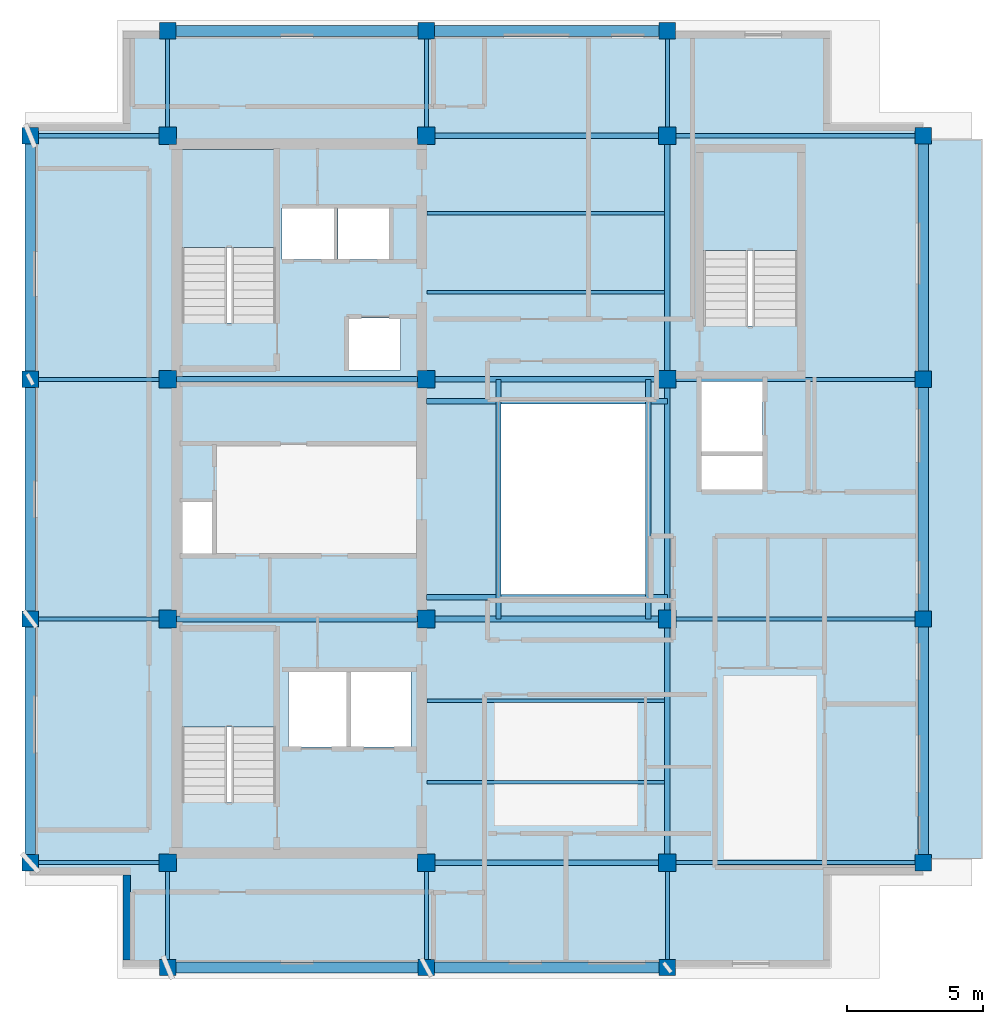
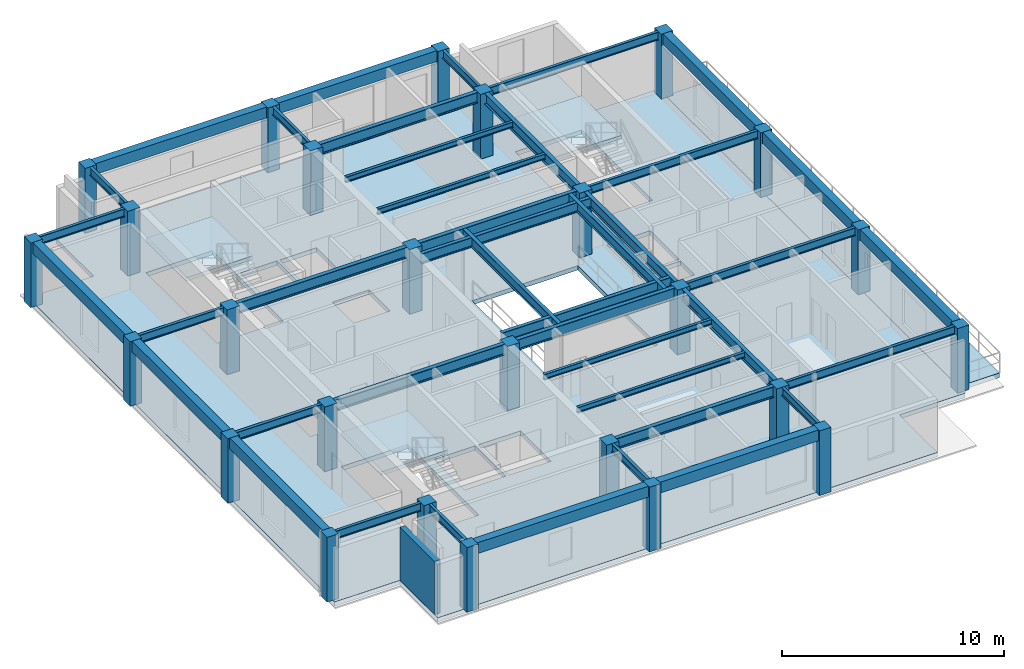
# One storey, part 1 of 9: 41 beams, 26 columns, 5 slabs, 1 wall, 3 elements without a shape of their own.
"""IFC4 building model written with IfcOpenShell, lengths in metres."""

from ifc_helpers import new_model, si_unit, direction, frame, frame_2d, origin, origin_2d, place, context, subcontext, project, spatial, polyline, rectangle, i_section, outline, extrude, material, layer, layer_set, material_profile, profile_set, type_object, element, aggregate, save


model = new_model("IFC4")

# Units and contexts
model_context = context("Model", 3, precision=1e-05, world=origin(), true_north=direction((0.0, 1.0)))
body_context = subcontext(model_context, "Body", "Model", "MODEL_VIEW")
ifc_project = project(units=[si_unit("LENGTHUNIT", "METRE"), si_unit("AREAUNIT", "SQUARE_METRE"), si_unit("VOLUMEUNIT", "CUBIC_METRE"), si_unit("PLANEANGLEUNIT", "RADIAN"), si_unit("MASSUNIT", "GRAM", prefix="KILO")], contexts=[model_context])

# Site, building, storey
site_placement = place(None, origin())
site = spatial("IfcSite", under=ifc_project, at=site_placement, CompositionType="ELEMENT")
building_placement = place(site_placement, origin())
building = spatial("IfcBuilding", under=site, at=building_placement, Name="Kundavana Baori Tower", CompositionType="ELEMENT")
storey_placement = place(building_placement, frame((0.0, 0.0, 335.300048828125)))
storey = spatial("IfcBuildingStorey", under=building, at=storey_placement, Name="L83", CompositionType="ELEMENT", Elevation=335.300048828125)

# Columns
ifc_material_1 = material(Name="Concrete C50/60", Category="concrete")
ifc_material_profile_1 = material_profile(ifc_material_1, rectangle(XDim=0.60009765625, YDim=0.60009765625, at=origin_2d()), Name="RC PF 600x600")
ifc_profile_set_1 = profile_set([ifc_material_profile_1], Name="Concrete C50/60")
column_type_1 = type_object("IfcColumnType", Name="COL-PF-600", PredefinedType="COLUMN", material=ifc_profile_set_1)
for number, where, z_axis, x_axis, name in (
    (1, (15.449951171875, 11.39990234375, 0.0), (0.0, 0.0, 1.0), (1.0, 0.0, 0.0), "L83 Stone-Clad Perimeter Frame Column PF-S1"),
    (2, (15.449951171875, 45.800048828125, 0.0), (0.0, 0.0, 1.0), (1.0, 0.0, 0.0), "L83 Stone-Clad Perimeter Frame Column PF-N1"),
    (3, (24.949951171875, 11.39990234375, 0.0), (0.0, 0.0, 1.0), (1.0, 0.0, 0.0), "L83 Stone-Clad Perimeter Frame Column PF-S2"),
    (4, (24.949951171875, 45.800048828125, 0.0), (0.0, 0.0, 1.0), (1.0, 0.0, 0.0), "L83 Stone-Clad Perimeter Frame Column PF-N2"),
    (5, (33.800048828125, 11.39990234375, 0.0), (0.0, 0.0, 1.0), (1.0, 0.0, 0.0), "L83 Stone-Clad Perimeter Frame Column PF-S3"),
    (6, (33.800048828125, 45.800048828125, 0.0), (0.0, 0.0, 1.0), (1.0, 0.0, 0.0), "L83 Stone-Clad Perimeter Frame Column PF-N3"),
    (7, (10.39990234375, 15.25, 0.0), (0.0, 0.0, 1.0), (1.0, 0.0, 0.0), "L83 Stone-Clad Perimeter Frame Column PF-W1"),
    (8, (43.199951171875, 15.25, 0.0), (0.0, 0.0, 1.0), (1.0, 0.0, 0.0), "L83 Stone-Clad Perimeter Frame Column PF-E1"),
    (9, (10.39990234375, 24.199951171875, 0.0), (0.0, 0.0, 1.0), (1.0, 0.0, 0.0), "L83 Stone-Clad Perimeter Frame Column PF-W2"),
    (10, (43.199951171875, 24.199951171875, 0.0), (0.0, 0.0, 1.0), (1.0, 0.0, 0.0), "L83 Stone-Clad Perimeter Frame Column PF-E2"),
    (11, (10.39990234375, 33.0, 0.0), (0.0, 0.0, 1.0), (1.0, 0.0, 0.0), "L83 Stone-Clad Perimeter Frame Column PF-W3"),
    (12, (43.199951171875, 33.0, 0.0), (0.0, 0.0, 1.0), (1.0, 0.0, 0.0), "L83 Stone-Clad Perimeter Frame Column PF-E3"),
    (13, (10.39990234375, 41.949951171875, 0.0), (0.0, 0.0, 1.0), (1.0, 0.0, 0.0), "L83 Stone-Clad Perimeter Frame Column PF-W4"),
    (14, (43.199951171875, 41.949951171875, 0.0), (0.0, 0.0, 1.0), (1.0, 0.0, 0.0), "L83 Stone-Clad Perimeter Frame Column PF-E4"),
):
    element("IfcColumn", number, at=place(storey_placement, frame(where, z_axis=z_axis, x_axis=x_axis)), inside=storey, type_object=column_type_1, Name=name, PredefinedType="COLUMN", context=body_context, shape_type="SweptSolid", body=[
        extrude(rectangle(XDim=0.60009765625, YDim=0.60009765625, at=origin_2d()), origin(), (0.0, 0.0, 1.0), 3.56005859375),
    ])
ifc_material_2 = material(Name="Concrete C50/60", Category="concrete")
ifc_material_profile_2 = material_profile(ifc_material_2, rectangle(XDim=0.64990234375, YDim=0.64990234375, at=origin_2d()), Name="RC 650x650")
ifc_profile_set_2 = profile_set([ifc_material_profile_2], Name="Concrete C50/60")
column_type_2 = type_object("IfcColumnType", Name="COL-RC-650", PredefinedType="COLUMN", material=ifc_profile_set_2)
for number, where, z_axis, x_axis, name in (
    (15, (15.449951171875, 15.25, 0.0), (0.0, 0.0, 1.0), (1.0, 0.0, 0.0), "L83 Interior Column IC-3C"),
    (16, (15.449951171875, 24.199951171875, 0.0), (0.0, 0.0, 1.0), (1.0, 0.0, 0.0), "L83 Interior Column IC-3D"),
    (17, (15.449951171875, 33.0, 0.0), (0.0, 0.0, 1.0), (1.0, 0.0, 0.0), "L83 Interior Column IC-3E"),
    (18, (15.449951171875, 41.949951171875, 0.0), (0.0, 0.0, 1.0), (1.0, 0.0, 0.0), "L83 Interior Column IC-3F"),
    (19, (24.949951171875, 15.25, 0.0), (0.0, 0.0, 1.0), (1.0, 0.0, 0.0), "L83 Interior Column IC-4C"),
    (20, (24.949951171875, 24.199951171875, 0.0), (0.0, 0.0, 1.0), (1.0, 0.0, 0.0), "L83 Interior Column IC-4D"),
    (21, (24.949951171875, 33.0, 0.0), (0.0, 0.0, 1.0), (1.0, 0.0, 0.0), "L83 Interior Column IC-4E"),
    (22, (24.949951171875, 41.949951171875, 0.0), (0.0, 0.0, 1.0), (1.0, 0.0, 0.0), "L83 Interior Column IC-4F"),
    (23, (33.800048828125, 15.25, 0.0), (0.0, 0.0, 1.0), (1.0, 0.0, 0.0), "L83 Interior Column IC-5C"),
    (24, (33.800048828125, 24.199951171875, 0.0), (0.0, 0.0, 1.0), (1.0, 0.0, 0.0), "L83 Interior Column IC-5D"),
    (25, (33.800048828125, 33.0, 0.0), (0.0, 0.0, 1.0), (1.0, 0.0, 0.0), "L83 Interior Column IC-5E"),
    (26, (33.800048828125, 41.949951171875, 0.0), (0.0, 0.0, 1.0), (1.0, 0.0, 0.0), "L83 Interior Column IC-5F"),
):
    element("IfcColumn", number, at=place(storey_placement, frame(where, z_axis=z_axis, x_axis=x_axis)), inside=storey, type_object=column_type_2, Name=name, PredefinedType="COLUMN", context=body_context, shape_type="SweptSolid", body=[
        extrude(rectangle(XDim=0.64990234375, YDim=0.64990234375, at=origin_2d()), origin(), (0.0, 0.0, 1.0), 3.56005859375),
    ])

# Beams
ifc_material_3 = material(Name="Concrete C50/60", Category="concrete")
ifc_material_profile_3 = material_profile(ifc_material_3, rectangle(XDim=0.39990234375, YDim=0.60009765625, at=origin_2d()), Name="RC BM 400x600")
ifc_profile_set_3 = profile_set([ifc_material_profile_3], Name="Concrete C50/60")
beam_type_1 = type_object("IfcBeamType", Name="BM-PF-600", PredefinedType="SPANDREL", material=ifc_profile_set_3)
beam_1_placement = place(storey_placement, frame((15.449951171875, 11.39990234375, 3.260009765625), z_axis=(1.0, 0.0, 0.0), x_axis=(0.0, 1.0, 0.0)))
element("IfcBeam", 27, at=beam_1_placement, inside=storey, type_object=beam_type_1, Name="L83 Perimeter Frame Ring Beam S1", PredefinedType="SPANDREL", context=body_context, shape_type="SweptSolid", body=[
    extrude(rectangle(XDim=0.39990234375, YDim=0.60009765625, at=origin_2d()), origin(), (0.0, 0.0, 1.0), 9.5),
])
beam_2_placement = place(storey_placement, frame((24.949951171875, 11.39990234375, 3.260009765625), z_axis=(1.0, 0.0, 0.0), x_axis=(0.0, 1.0, 0.0)))
element("IfcBeam", 28, at=beam_2_placement, inside=storey, type_object=beam_type_1, Name="L83 Perimeter Frame Ring Beam S2", PredefinedType="SPANDREL", context=body_context, shape_type="SweptSolid", body=[
    extrude(rectangle(XDim=0.39990234375, YDim=0.60009765625, at=origin_2d()), origin(), (0.0, 0.0, 1.0), 8.85009765625),
])
beam_3_placement = place(storey_placement, frame((15.449951171875, 45.800048828125, 3.260009765625), z_axis=(1.0, 0.0, 0.0), x_axis=(0.0, 1.0, 0.0)))
element("IfcBeam", 29, at=beam_3_placement, inside=storey, type_object=beam_type_1, Name="L83 Perimeter Frame Ring Beam N1", PredefinedType="SPANDREL", context=body_context, shape_type="SweptSolid", body=[
    extrude(rectangle(XDim=0.39990234375, YDim=0.60009765625, at=origin_2d()), origin(), (0.0, 0.0, 1.0), 9.5),
])
beam_4_placement = place(storey_placement, frame((24.949951171875, 45.800048828125, 3.260009765625), z_axis=(1.0, 0.0, 0.0), x_axis=(0.0, 1.0, 0.0)))
element("IfcBeam", 30, at=beam_4_placement, inside=storey, type_object=beam_type_1, Name="L83 Perimeter Frame Ring Beam N2", PredefinedType="SPANDREL", context=body_context, shape_type="SweptSolid", body=[
    extrude(rectangle(XDim=0.39990234375, YDim=0.60009765625, at=origin_2d()), origin(), (0.0, 0.0, 1.0), 8.85009765625),
])
beam_5_placement = place(storey_placement, frame((10.39990234375, 15.25, 3.260009765625), z_axis=(0.0, 1.0, 0.0), x_axis=(-1.0, 0.0, 0.0)))
element("IfcBeam", 31, at=beam_5_placement, inside=storey, type_object=beam_type_1, Name="L83 Perimeter Frame Ring Beam W1", PredefinedType="SPANDREL", context=body_context, shape_type="SweptSolid", body=[
    extrude(rectangle(XDim=0.39990234375, YDim=0.60009765625, at=origin_2d()), origin(), (0.0, 0.0, 1.0), 8.949951171875),
])
beam_6_placement = place(storey_placement, frame((10.39990234375, 24.199951171875, 3.260009765625), z_axis=(0.0, 1.0, 0.0), x_axis=(-1.0, 0.0, 0.0)))
element("IfcBeam", 32, at=beam_6_placement, inside=storey, type_object=beam_type_1, Name="L83 Perimeter Frame Ring Beam W2", PredefinedType="SPANDREL", context=body_context, shape_type="SweptSolid", body=[
    extrude(rectangle(XDim=0.39990234375, YDim=0.60009765625, at=origin_2d()), origin(), (0.0, 0.0, 1.0), 8.800048828125),
])
for number, where, z_axis, x_axis, name in (
    (33, (10.39990234375, 33.0, 3.260009765625), (0.0, 1.0, 0.0), (-1.0, 0.0, 0.0), "L83 Perimeter Frame Ring Beam W3"),
    (34, (43.199951171875, 15.25, 3.260009765625), (0.0, 1.0, 0.0), (-1.0, 0.0, 0.0), "L83 Perimeter Frame Ring Beam E1"),
):
    element("IfcBeam", number, at=place(storey_placement, frame(where, z_axis=z_axis, x_axis=x_axis)), inside=storey, type_object=beam_type_1, Name=name, PredefinedType="SPANDREL", context=body_context, shape_type="SweptSolid", body=[
        extrude(rectangle(XDim=0.39990234375, YDim=0.60009765625, at=origin_2d()), origin(), (0.0, 0.0, 1.0), 8.949951171875),
    ])
beam_7_placement = place(storey_placement, frame((43.199951171875, 24.199951171875, 3.260009765625), z_axis=(0.0, 1.0, 0.0), x_axis=(-1.0, 0.0, 0.0)))
element("IfcBeam", 35, at=beam_7_placement, inside=storey, type_object=beam_type_1, Name="L83 Perimeter Frame Ring Beam E2", PredefinedType="SPANDREL", context=body_context, shape_type="SweptSolid", body=[
    extrude(rectangle(XDim=0.39990234375, YDim=0.60009765625, at=origin_2d()), origin(), (0.0, 0.0, 1.0), 8.800048828125),
])
beam_8_placement = place(storey_placement, frame((43.199951171875, 33.0, 3.260009765625), z_axis=(0.0, 1.0, 0.0), x_axis=(-1.0, 0.0, 0.0)))
element("IfcBeam", 36, at=beam_8_placement, inside=storey, type_object=beam_type_1, Name="L83 Perimeter Frame Ring Beam E3", PredefinedType="SPANDREL", context=body_context, shape_type="SweptSolid", body=[
    extrude(rectangle(XDim=0.39990234375, YDim=0.60009765625, at=origin_2d()), origin(), (0.0, 0.0, 1.0), 8.949951171875),
])
ifc_material_4 = material(Name="Structural Steel S355JR", Category="steel")
ifc_material_profile_4 = material_profile(ifc_material_4, i_section(OverallWidth=0.139892578125, OverallDepth=0.300048828125, WebThickness=0.0078125, FlangeThickness=0.01318359375, FilletRadius=0.013916015625, at=origin_2d()), Name="ISMB 300")
ifc_profile_set_4 = profile_set([ifc_material_profile_4], Name="Structural Steel S355JR")
beam_type_2 = type_object("IfcBeamType", Name="BM-RF-300", PredefinedType="BEAM", material=ifc_profile_set_4)
for number, where, z_axis, x_axis, name in (
    (37, (24.97998046875, 18.199951171875, 3.409912109375), (1.0, 0.0, 0.0), (0.0, 1.0, 0.0), "L83 Central Bay Composite Floor Joist C1"),
    (38, (24.97998046875, 21.199951171875, 3.409912109375), (1.0, 0.0, 0.0), (0.0, 1.0, 0.0), "L83 Central Bay Composite Floor Joist C2"),
    (39, (24.97998046875, 36.199951171875, 3.409912109375), (1.0, 0.0, 0.0), (0.0, 1.0, 0.0), "L83 Central Bay Composite Floor Joist C3"),
    (40, (24.97998046875, 39.10009765625, 3.409912109375), (1.0, 0.0, 0.0), (0.0, 1.0, 0.0), "L83 Central Bay Composite Floor Joist C4"),
):
    element("IfcBeam", number, at=place(storey_placement, frame(where, z_axis=z_axis, x_axis=x_axis)), inside=storey, type_object=beam_type_2, Name=name, PredefinedType="BEAM", context=body_context, shape_type="SweptSolid", body=[
        extrude(i_section(OverallWidth=0.139892578125, OverallDepth=0.300048828125, WebThickness=0.0078125, FlangeThickness=0.01318359375, FilletRadius=0.013916015625, at=origin_2d()), origin(), (0.0, 0.0, 1.0), 8.715087890625),
    ])
ifc_material_5 = material(Name="Structural Steel S355JR", Category="steel")
ifc_material_profile_5 = material_profile(ifc_material_5, i_section(OverallWidth=0.18994140625, OverallDepth=0.550048828125, WebThickness=0.01123046875, FlangeThickness=0.019287109375, FilletRadius=0.01806640625, at=origin_2d()), Name="ISMB 550")
ifc_profile_set_5 = profile_set([ifc_material_profile_5], Name="Structural Steel S355JR")
beam_type_3 = type_object("IfcBeamType", Name="BM-ST-550", PredefinedType="BEAM", material=ifc_profile_set_5)
for number, where, z_axis, x_axis, name in (
    (41, (27.60009765625, 24.199951171875, 3.284912109375), (0.0, 1.0, 0.0), (-1.0, 0.0, 0.0), "L83 Atrium West Edge Beam"),
    (42, (33.10009765625, 24.199951171875, 3.284912109375), (0.0, 1.0, 0.0), (-1.0, 0.0, 0.0), "L83 Atrium East Edge Beam"),
):
    element("IfcBeam", number, at=place(storey_placement, frame(where, z_axis=z_axis, x_axis=x_axis)), inside=storey, type_object=beam_type_3, Name=name, PredefinedType="BEAM", context=body_context, shape_type="SweptSolid", body=[
        extrude(i_section(OverallWidth=0.18994140625, OverallDepth=0.550048828125, WebThickness=0.01123046875, FlangeThickness=0.019287109375, FilletRadius=0.01806640625, at=origin_2d()), origin(), (0.0, 0.0, 1.0), 8.800048828125),
    ])
for number, where, z_axis, x_axis, name in (
    (43, (24.949951171875, 25.0, 3.284912109375), (1.0, 0.0, 0.0), (0.0, 1.0, 0.0), "L83 Atrium South Edge Beam"),
    (44, (24.949951171875, 32.199951171875, 3.284912109375), (1.0, 0.0, 0.0), (0.0, 1.0, 0.0), "L83 Atrium North Edge Beam"),
):
    element("IfcBeam", number, at=place(storey_placement, frame(where, z_axis=z_axis, x_axis=x_axis)), inside=storey, type_object=beam_type_3, Name=name, PredefinedType="BEAM", context=body_context, shape_type="SweptSolid", body=[
        extrude(i_section(OverallWidth=0.18994140625, OverallDepth=0.550048828125, WebThickness=0.01123046875, FlangeThickness=0.019287109375, FilletRadius=0.01806640625, at=origin_2d()), origin(), (0.0, 0.0, 1.0), 8.85009765625),
    ])
ifc_material_6 = material(Name="Structural Steel S355JR", Category="steel")
ifc_material_profile_6 = material_profile(ifc_material_6, i_section(OverallWidth=0.2099609375, OverallDepth=0.60009765625, WebThickness=0.011962890625, FlangeThickness=0.020751953125, FilletRadius=0.02001953125, at=origin_2d()), Name="ISMB 600")
ifc_profile_set_6 = profile_set([ifc_material_profile_6], Name="Structural Steel S355JR")
beam_type_4 = type_object("IfcBeamType", Name="BM-ST-600", PredefinedType="BEAM", material=ifc_profile_set_6)
beam_9_placement = place(storey_placement, frame((24.949951171875, 15.25, 3.260009765625), z_axis=(1.0, 0.0, 0.0), x_axis=(0.0, 1.0, 0.0)))
element("IfcBeam", 45, at=beam_9_placement, inside=storey, type_object=beam_type_4, Name="L83 Primary Grid Girder GX-1-2", PredefinedType="BEAM", context=body_context, shape_type="SweptSolid", body=[
    extrude(i_section(OverallWidth=0.2099609375, OverallDepth=0.60009765625, WebThickness=0.011962890625, FlangeThickness=0.020751953125, FilletRadius=0.02001953125, at=origin_2d()), origin(), (0.0, 0.0, 1.0), 8.85009765625),
])
beam_10_placement = place(storey_placement, frame((15.449951171875, 24.199951171875, 3.260009765625), z_axis=(1.0, 0.0, 0.0), x_axis=(0.0, 1.0, 0.0)))
element("IfcBeam", 46, at=beam_10_placement, inside=storey, type_object=beam_type_4, Name="L83 Primary Grid Girder GX-2-1", PredefinedType="BEAM", context=body_context, shape_type="SweptSolid", body=[
    extrude(i_section(OverallWidth=0.2099609375, OverallDepth=0.60009765625, WebThickness=0.011962890625, FlangeThickness=0.020751953125, FilletRadius=0.02001953125, at=origin_2d()), origin(), (0.0, 0.0, 1.0), 9.5),
])
beam_11_placement = place(storey_placement, frame((24.949951171875, 24.199951171875, 3.260009765625), z_axis=(1.0, 0.0, 0.0), x_axis=(0.0, 1.0, 0.0)))
element("IfcBeam", 47, at=beam_11_placement, inside=storey, type_object=beam_type_4, Name="L83 Primary Grid Girder GX-2-2", PredefinedType="BEAM", context=body_context, shape_type="SweptSolid", body=[
    extrude(i_section(OverallWidth=0.2099609375, OverallDepth=0.60009765625, WebThickness=0.011962890625, FlangeThickness=0.020751953125, FilletRadius=0.02001953125, at=origin_2d()), origin(), (0.0, 0.0, 1.0), 8.85009765625),
])
beam_12_placement = place(storey_placement, frame((15.449951171875, 33.0, 3.260009765625), z_axis=(1.0, 0.0, 0.0), x_axis=(0.0, 1.0, 0.0)))
element("IfcBeam", 48, at=beam_12_placement, inside=storey, type_object=beam_type_4, Name="L83 Primary Grid Girder GX-3-1", PredefinedType="BEAM", context=body_context, shape_type="SweptSolid", body=[
    extrude(i_section(OverallWidth=0.2099609375, OverallDepth=0.60009765625, WebThickness=0.011962890625, FlangeThickness=0.020751953125, FilletRadius=0.02001953125, at=origin_2d()), origin(), (0.0, 0.0, 1.0), 9.5),
])
for number, where, z_axis, x_axis, name in (
    (49, (24.949951171875, 33.0, 3.260009765625), (1.0, 0.0, 0.0), (0.0, 1.0, 0.0), "L83 Primary Grid Girder GX-3-2"),
    (50, (24.949951171875, 41.949951171875, 3.260009765625), (1.0, 0.0, 0.0), (0.0, 1.0, 0.0), "L83 Primary Grid Girder GX-4-2"),
):
    element("IfcBeam", number, at=place(storey_placement, frame(where, z_axis=z_axis, x_axis=x_axis)), inside=storey, type_object=beam_type_4, Name=name, PredefinedType="BEAM", context=body_context, shape_type="SweptSolid", body=[
        extrude(i_section(OverallWidth=0.2099609375, OverallDepth=0.60009765625, WebThickness=0.011962890625, FlangeThickness=0.020751953125, FilletRadius=0.02001953125, at=origin_2d()), origin(), (0.0, 0.0, 1.0), 8.85009765625),
    ])
beam_13_placement = place(storey_placement, frame((33.800048828125, 15.25, 3.260009765625), z_axis=(0.0, 1.0, 0.0), x_axis=(-1.0, 0.0, 0.0)))
element("IfcBeam", 51, at=beam_13_placement, inside=storey, type_object=beam_type_4, Name="L83 Primary Grid Girder GY-3-1", PredefinedType="BEAM", context=body_context, shape_type="SweptSolid", body=[
    extrude(i_section(OverallWidth=0.2099609375, OverallDepth=0.60009765625, WebThickness=0.011962890625, FlangeThickness=0.020751953125, FilletRadius=0.02001953125, at=origin_2d()), origin(), (0.0, 0.0, 1.0), 8.949951171875),
])
beam_14_placement = place(storey_placement, frame((33.800048828125, 24.199951171875, 3.260009765625), z_axis=(0.0, 1.0, 0.0), x_axis=(-1.0, 0.0, 0.0)))
element("IfcBeam", 52, at=beam_14_placement, inside=storey, type_object=beam_type_4, Name="L83 Primary Grid Girder GY-3-2", PredefinedType="BEAM", context=body_context, shape_type="SweptSolid", body=[
    extrude(i_section(OverallWidth=0.2099609375, OverallDepth=0.60009765625, WebThickness=0.011962890625, FlangeThickness=0.020751953125, FilletRadius=0.02001953125, at=origin_2d()), origin(), (0.0, 0.0, 1.0), 8.800048828125),
])
beam_15_placement = place(storey_placement, frame((33.800048828125, 33.0, 3.260009765625), z_axis=(0.0, 1.0, 0.0), x_axis=(-1.0, 0.0, 0.0)))
element("IfcBeam", 53, at=beam_15_placement, inside=storey, type_object=beam_type_4, Name="L83 Primary Grid Girder GY-3-3", PredefinedType="BEAM", context=body_context, shape_type="SweptSolid", body=[
    extrude(i_section(OverallWidth=0.2099609375, OverallDepth=0.60009765625, WebThickness=0.011962890625, FlangeThickness=0.020751953125, FilletRadius=0.02001953125, at=origin_2d()), origin(), (0.0, 0.0, 1.0), 8.949951171875),
])
ifc_material_7 = material(Name="Structural Steel S355JR", Category="steel")
ifc_material_profile_7 = material_profile(ifc_material_7, i_section(OverallWidth=0.14990234375, OverallDepth=0.449951171875, WebThickness=0.009521484375, FlangeThickness=0.017333984375, FilletRadius=0.014892578125, at=origin_2d()), Name="ISMB 450")
ifc_profile_set_7 = profile_set([ifc_material_profile_7], Name="Structural Steel S355JR")
beam_type_5 = type_object("IfcBeamType", Name="BM-TIE-450", PredefinedType="BEAM", material=ifc_profile_set_7)
for number, where, z_axis, x_axis, name in (
    (54, (15.449951171875, 15.25, 3.3349609375), (0.0, -1.0, 0.0), (1.0, 0.0, 0.0), "L83 South Radial Loggia Tie Beam S1"),
    (55, (15.449951171875, 41.949951171875, 3.3349609375), (0.0, 1.0, 0.0), (-1.0, 0.0, 0.0), "L83 North Radial Loggia Tie Beam N1"),
    (56, (24.949951171875, 15.25, 3.3349609375), (0.0, -1.0, 0.0), (1.0, 0.0, 0.0), "L83 South Radial Loggia Tie Beam S2"),
    (57, (24.949951171875, 41.949951171875, 3.3349609375), (0.0, 1.0, 0.0), (-1.0, 0.0, 0.0), "L83 North Radial Loggia Tie Beam N2"),
    (58, (33.800048828125, 15.25, 3.3349609375), (0.0, -1.0, 0.0), (1.0, 0.0, 0.0), "L83 South Radial Loggia Tie Beam S3"),
    (59, (33.800048828125, 41.949951171875, 3.3349609375), (0.0, 1.0, 0.0), (-1.0, 0.0, 0.0), "L83 North Radial Loggia Tie Beam N3"),
):
    element("IfcBeam", number, at=place(storey_placement, frame(where, z_axis=z_axis, x_axis=x_axis)), inside=storey, type_object=beam_type_5, Name=name, PredefinedType="BEAM", context=body_context, shape_type="SweptSolid", body=[
        extrude(i_section(OverallWidth=0.14990234375, OverallDepth=0.449951171875, WebThickness=0.009521484375, FlangeThickness=0.017333984375, FilletRadius=0.014892578125, at=origin_2d()), origin(), (0.0, 0.0, 1.0), 3.85009765625),
    ])
beam_16_placement = place(storey_placement, frame((15.449951171875, 15.25, 3.3349609375), z_axis=(-1.0, 0.0, 0.0), x_axis=(0.0, -1.0, 0.0)))
element("IfcBeam", 60, at=beam_16_placement, inside=storey, type_object=beam_type_5, Name="L83 West Radial Loggia Tie Beam W1", PredefinedType="BEAM", context=body_context, shape_type="SweptSolid", body=[
    extrude(i_section(OverallWidth=0.14990234375, OverallDepth=0.449951171875, WebThickness=0.009521484375, FlangeThickness=0.017333984375, FilletRadius=0.014892578125, at=origin_2d()), origin(), (0.0, 0.0, 1.0), 5.050048828125),
])
beam_17_placement = place(storey_placement, frame((33.800048828125, 15.25, 3.3349609375), z_axis=(1.0, 0.0, 0.0), x_axis=(0.0, 1.0, 0.0)))
element("IfcBeam", 61, at=beam_17_placement, inside=storey, type_object=beam_type_5, Name="L83 East Radial Loggia Tie Beam E1", PredefinedType="BEAM", context=body_context, shape_type="SweptSolid", body=[
    extrude(i_section(OverallWidth=0.14990234375, OverallDepth=0.449951171875, WebThickness=0.009521484375, FlangeThickness=0.017333984375, FilletRadius=0.014892578125, at=origin_2d()), origin(), (0.0, 0.0, 1.0), 9.39990234375),
])
beam_18_placement = place(storey_placement, frame((15.449951171875, 24.199951171875, 3.3349609375), z_axis=(-1.0, 0.0, 0.0), x_axis=(0.0, -1.0, 0.0)))
element("IfcBeam", 62, at=beam_18_placement, inside=storey, type_object=beam_type_5, Name="L83 West Radial Loggia Tie Beam W2", PredefinedType="BEAM", context=body_context, shape_type="SweptSolid", body=[
    extrude(i_section(OverallWidth=0.14990234375, OverallDepth=0.449951171875, WebThickness=0.009521484375, FlangeThickness=0.017333984375, FilletRadius=0.014892578125, at=origin_2d()), origin(), (0.0, 0.0, 1.0), 5.050048828125),
])
beam_19_placement = place(storey_placement, frame((33.800048828125, 24.199951171875, 3.3349609375), z_axis=(1.0, 0.0, 0.0), x_axis=(0.0, 1.0, 0.0)))
element("IfcBeam", 63, at=beam_19_placement, inside=storey, type_object=beam_type_5, Name="L83 East Radial Loggia Tie Beam E2", PredefinedType="BEAM", context=body_context, shape_type="SweptSolid", body=[
    extrude(i_section(OverallWidth=0.14990234375, OverallDepth=0.449951171875, WebThickness=0.009521484375, FlangeThickness=0.017333984375, FilletRadius=0.014892578125, at=origin_2d()), origin(), (0.0, 0.0, 1.0), 9.39990234375),
])
beam_20_placement = place(storey_placement, frame((15.449951171875, 33.0, 3.3349609375), z_axis=(-1.0, 0.0, 0.0), x_axis=(0.0, -1.0, 0.0)))
element("IfcBeam", 64, at=beam_20_placement, inside=storey, type_object=beam_type_5, Name="L83 West Radial Loggia Tie Beam W3", PredefinedType="BEAM", context=body_context, shape_type="SweptSolid", body=[
    extrude(i_section(OverallWidth=0.14990234375, OverallDepth=0.449951171875, WebThickness=0.009521484375, FlangeThickness=0.017333984375, FilletRadius=0.014892578125, at=origin_2d()), origin(), (0.0, 0.0, 1.0), 5.050048828125),
])
beam_21_placement = place(storey_placement, frame((33.800048828125, 33.0, 3.3349609375), z_axis=(1.0, 0.0, 0.0), x_axis=(0.0, 1.0, 0.0)))
element("IfcBeam", 65, at=beam_21_placement, inside=storey, type_object=beam_type_5, Name="L83 East Radial Loggia Tie Beam E3", PredefinedType="BEAM", context=body_context, shape_type="SweptSolid", body=[
    extrude(i_section(OverallWidth=0.14990234375, OverallDepth=0.449951171875, WebThickness=0.009521484375, FlangeThickness=0.017333984375, FilletRadius=0.014892578125, at=origin_2d()), origin(), (0.0, 0.0, 1.0), 9.39990234375),
])
beam_22_placement = place(storey_placement, frame((15.449951171875, 41.949951171875, 3.3349609375), z_axis=(-1.0, 0.0, 0.0), x_axis=(0.0, -1.0, 0.0)))
element("IfcBeam", 66, at=beam_22_placement, inside=storey, type_object=beam_type_5, Name="L83 West Radial Loggia Tie Beam W4", PredefinedType="BEAM", context=body_context, shape_type="SweptSolid", body=[
    extrude(i_section(OverallWidth=0.14990234375, OverallDepth=0.449951171875, WebThickness=0.009521484375, FlangeThickness=0.017333984375, FilletRadius=0.014892578125, at=origin_2d()), origin(), (0.0, 0.0, 1.0), 5.050048828125),
])
beam_23_placement = place(storey_placement, frame((33.800048828125, 41.949951171875, 3.3349609375), z_axis=(1.0, 0.0, 0.0), x_axis=(0.0, 1.0, 0.0)))
element("IfcBeam", 67, at=beam_23_placement, inside=storey, type_object=beam_type_5, Name="L83 East Radial Loggia Tie Beam E4", PredefinedType="BEAM", context=body_context, shape_type="SweptSolid", body=[
    extrude(i_section(OverallWidth=0.14990234375, OverallDepth=0.449951171875, WebThickness=0.009521484375, FlangeThickness=0.017333984375, FilletRadius=0.014892578125, at=origin_2d()), origin(), (0.0, 0.0, 1.0), 9.39990234375),
])

# Slab
ifc_material_8 = material(Name="Concrete C40/50", Category="concrete")
ifc_layer_1 = layer(ifc_material_8, 0.239990234375, Name="SLB-FLR-240")
ifc_layer_set_1 = layer_set([ifc_layer_1], Name="Concrete C40/50")
slab_type_1 = type_object("IfcSlabType", Name="SLB-FLR-240", PredefinedType="FLOOR", material=ifc_layer_set_1)
slab_1_placement = place(storey_placement, frame((0.0, 0.0, -0.239990234375)))
element("IfcSlab", 68, at=slab_1_placement, inside=storey, type_object=slab_type_1, Name="L83 Structural Floor Slab", PredefinedType="FLOOR", context=body_context, shape_type="SweptSolid", body=[
    extrude(outline(polyline([(13.800048828125, 11.39990234375), (39.800048828125, 11.39990234375), (39.800048828125, 14.800048828125), (43.199951171875, 14.800048828125), (43.199951171875, 42.39990234375), (39.800048828125, 42.39990234375), (39.800048828125, 45.800048828125), (13.800048828125, 45.800048828125), (13.800048828125, 42.39990234375), (10.39990234375, 42.39990234375), (10.39990234375, 14.800048828125), (13.800048828125, 14.800048828125), (13.800048828125, 11.39990234375)]), holes=[polyline([(19.43994140625, 17.4619140625), (19.43994140625, 23.85009765625), (15.97998046875, 23.85009765625), (15.97998046875, 17.4619140625), (19.43994140625, 17.4619140625)]), polyline([(19.43994140625, 35.06201171875), (19.43994140625, 41.449951171875), (15.97998046875, 41.449951171875), (15.97998046875, 35.06201171875), (19.43994140625, 35.06201171875)]), polyline([(38.580078125, 34.9619140625), (38.580078125, 41.35009765625), (35.1201171875, 41.35009765625), (35.1201171875, 34.9619140625), (38.580078125, 34.9619140625)]), polyline([(19.64990234375, 37.39990234375), (21.550048828125, 37.39990234375), (21.550048828125, 39.300048828125), (19.64990234375, 39.300048828125), (19.64990234375, 37.39990234375)]), polyline([(21.699951171875, 37.39990234375), (23.60009765625, 37.39990234375), (23.60009765625, 39.300048828125), (21.699951171875, 39.300048828125), (21.699951171875, 37.39990234375)]), polyline([(22.10009765625, 33.35009765625), (24.0, 33.35009765625), (24.0, 35.25), (22.10009765625, 35.25), (22.10009765625, 33.35009765625)]), polyline([(19.8798828125, 19.5), (22.02001953125, 19.5), (22.02001953125, 22.25), (19.8798828125, 22.25), (19.8798828125, 19.5)]), polyline([(22.179931640625, 19.5), (24.3798828125, 19.5), (24.3798828125, 22.25), (22.179931640625, 22.25), (22.179931640625, 19.5)]), polyline([(35.050048828125, 30.35009765625), (37.300048828125, 30.35009765625), (37.300048828125, 32.949951171875), (35.050048828125, 32.949951171875), (35.050048828125, 30.35009765625)]), polyline([(15.949951171875, 26.60009765625), (17.080078125, 26.60009765625), (17.080078125, 28.5), (15.949951171875, 28.5), (15.949951171875, 26.60009765625)]), polyline([(35.050048828125, 28.949951171875), (37.300048828125, 28.949951171875), (37.300048828125, 30.199951171875), (35.050048828125, 30.199951171875), (35.050048828125, 28.949951171875)]), polyline([(27.60009765625, 25.0), (33.10009765625, 25.0), (33.10009765625, 32.199951171875), (27.60009765625, 32.199951171875), (27.60009765625, 25.0)])]), origin(), (0.0, 0.0, 1.0), 0.239990234375),
])

# Stair, slab
ifc_material_9 = material(Name="Concrete C40/50", Category="concrete")
stair_type = type_object("IfcStairType", Name="STR-DOG-1650", PredefinedType="HALF_TURN_STAIR", material=ifc_material_9)
stair_1_placement = place(storey_placement, origin())
stair_1 = element("IfcStair", 69, at=stair_1_placement, inside=storey, type_object=stair_type, Name="L83 Protected Exit Stair ST1", PredefinedType="HALF_TURN_STAIR")
ifc_material_10 = material(Name="Concrete C40/50", Category="concrete")
ifc_layer_2 = layer(ifc_material_10, 0.199951171875, Name="SLB-LND-200")
ifc_layer_set_2 = layer_set([ifc_layer_2], Name="Concrete C40/50")
slab_type_2 = type_object("IfcSlabType", Name="SLB-LND-200", PredefinedType="LANDING", material=ifc_layer_set_2)
slab_2_placement = place(storey_placement, frame((0.0, 0.0, 1.699951171875)))
slab_2 = element("IfcSlab", 70, at=slab_2_placement, type_object=slab_type_2, Name="ST1 landing 1", PredefinedType="LANDING", context=body_context, shape_type="SweptSolid", body=[
    extrude(outline(polyline([(19.43994140625, 20.239990234375), (19.43994140625, 23.85009765625), (15.97998046875, 23.85009765625), (15.97998046875, 20.239990234375), (19.43994140625, 20.239990234375)])), origin(), (0.0, 0.0, 1.0), 0.199951171875),
])
aggregate(stair_1, [slab_2])

stair_2_placement = place(storey_placement, origin())
stair_2 = element("IfcStair", 71, at=stair_2_placement, inside=storey, type_object=stair_type, Name="L83 Protected Exit Stair ST2", PredefinedType="HALF_TURN_STAIR")
slab_3_placement = place(storey_placement, frame((0.0, 0.0, 1.699951171875)))
slab_3 = element("IfcSlab", 72, at=slab_3_placement, type_object=slab_type_2, Name="ST2 landing 1", PredefinedType="LANDING", context=body_context, shape_type="SweptSolid", body=[
    extrude(outline(polyline([(19.43994140625, 37.840087890625), (19.43994140625, 41.449951171875), (15.97998046875, 41.449951171875), (15.97998046875, 37.840087890625), (19.43994140625, 37.840087890625)])), origin(), (0.0, 0.0, 1.0), 0.199951171875),
])
aggregate(stair_2, [slab_3])

stair_3_placement = place(storey_placement, origin())
stair_3 = element("IfcStair", 73, at=stair_3_placement, inside=storey, type_object=stair_type, Name="L83 Protected Exit Stair ST3", PredefinedType="HALF_TURN_STAIR")
slab_4_placement = place(storey_placement, frame((0.0, 0.0, 1.699951171875)))
slab_4 = element("IfcSlab", 74, at=slab_4_placement, type_object=slab_type_2, Name="ST3 landing 1", PredefinedType="LANDING", context=body_context, shape_type="SweptSolid", body=[
    extrude(outline(polyline([(38.580078125, 37.739990234375), (38.580078125, 41.35009765625), (35.1201171875, 41.35009765625), (35.1201171875, 37.739990234375), (38.580078125, 37.739990234375)])), origin(), (0.0, 0.0, 1.0), 0.199951171875),
])
aggregate(stair_3, [slab_4])

# Slab
ifc_material_11 = material(Name="Concrete C40/50", Category="concrete")
ifc_layer_3 = layer(ifc_material_11, 0.260009765625, Name="SLB-TER-260")
ifc_layer_set_3 = layer_set([ifc_layer_3], Name="Concrete C40/50")
slab_type_3 = type_object("IfcSlabType", Name="SLB-TER-260", PredefinedType="ROOF", material=ifc_layer_set_3)
slab_5_placement = place(storey_placement, frame((0.0, 0.0, -0.260009765625)))
element("IfcSlab", 75, at=slab_5_placement, inside=storey, type_object=slab_type_3, Name="L83 Planted Sky Terrace Slab E", PredefinedType="ROOF", context=body_context, shape_type="SweptSolid", body=[
    extrude(outline(polyline([(43.199951171875, 15.39990234375), (43.199951171875, 41.800048828125), (45.35009765625, 41.800048828125), (45.35009765625, 15.39990234375), (43.199951171875, 15.39990234375)])), origin(), (0.0, 0.0, 1.0), 0.260009765625),
])

# Wall
ifc_material_12 = material(Name="Red-Buff Dholpur Sandstone Cladding on Concrete C40/50", Category="masonry")
ifc_layer_4 = layer(ifc_material_12, 0.280029296875, Name="WL-EXT-SAND-280")
ifc_layer_set_4 = layer_set([ifc_layer_4], Name="Red-Buff Dholpur Sandstone Cladding on Concrete C40/50")
wall_type = type_object("IfcWallType", Name="WL-EXT-SAND-280", PredefinedType="STANDARD", material=ifc_layer_set_4)
wall_placement = place(storey_placement, frame((13.93994140625, 14.800048828125, 0.0), z_axis=(0.0, 0.0, 1.0), x_axis=(0.0, -1.0, 0.0)))
element("IfcWall", 76, at=wall_placement, inside=storey, type_object=wall_type, Name="L83 Exterior Insulated Facade Wall 12", PredefinedType="STANDARD", context=body_context, shape_type="SweptSolid", body=[
    extrude(rectangle(XDim=3.1201171875, YDim=0.280029296875, at=frame_2d((1.56005859375, 0.0))), origin(), (0.0, 0.0, 1.0), 2.919921875),
])

save(model, "model.ifc")
